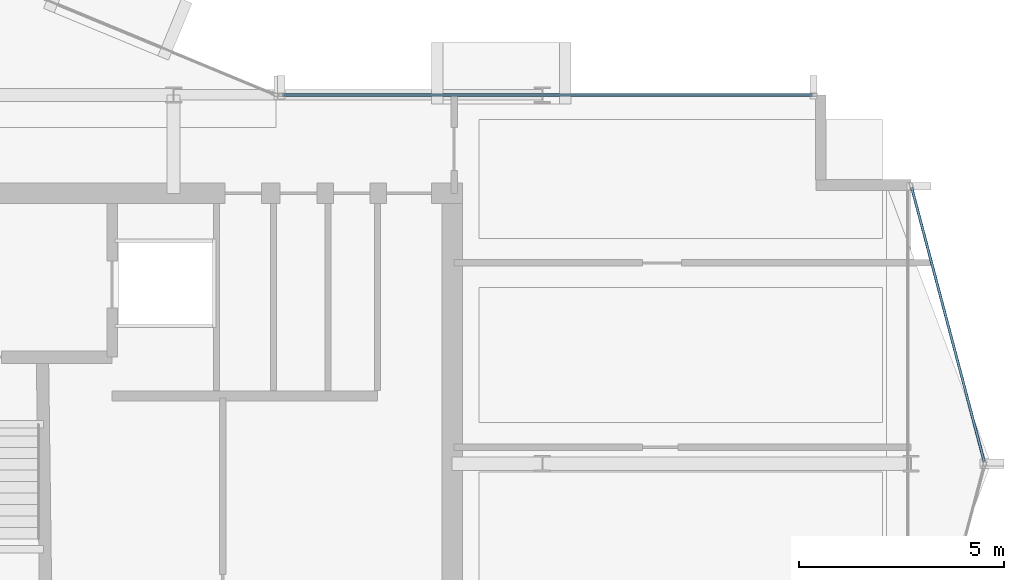
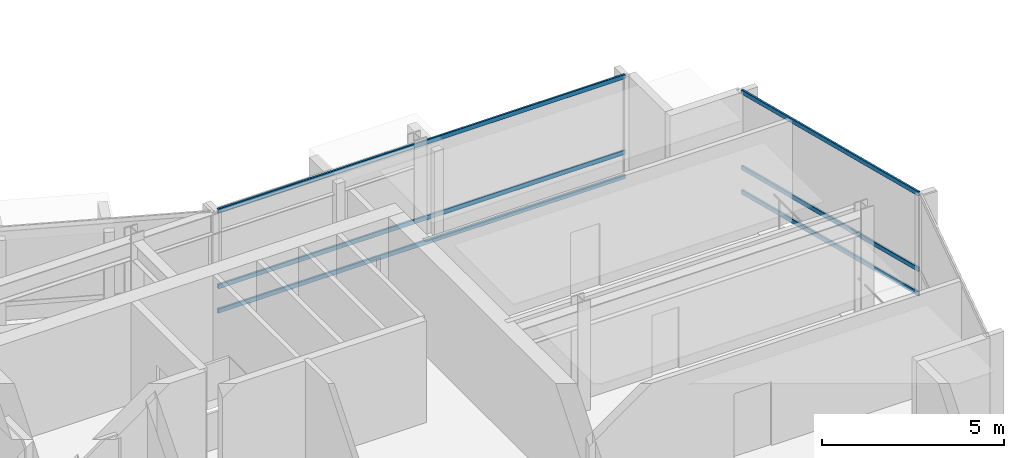
# One storey, part 13 of 28: 6 members, 2 elements without a shape of their own.
"""IFC4 building model written with IfcOpenShell, lengths in metres."""

from ifc_helpers import new_model, si_unit, direction, frame, origin, origin_2d, place, context, subcontext, project, spatial, hollow_rectangle, extrude, material, layer, layer_set, material_profile, profile_set, type_object, element, aggregate, save


model = new_model("IFC4")

# Units and contexts
model_context = context("Model", 3, precision=1e-05, world=origin(), true_north=direction((0.0, 1.0)))
body_context = subcontext(model_context, "Body", "Model", "MODEL_VIEW")
ifc_project = project(units=[si_unit("LENGTHUNIT", "METRE"), si_unit("AREAUNIT", "SQUARE_METRE"), si_unit("VOLUMEUNIT", "CUBIC_METRE"), si_unit("PLANEANGLEUNIT", "RADIAN"), si_unit("MASSUNIT", "GRAM", prefix="KILO")], contexts=[model_context])

# Site, building, storey
site_placement = place(None, origin())
site = spatial("IfcSite", under=ifc_project, at=site_placement, CompositionType="ELEMENT")
building_placement = place(site_placement, origin())
building = spatial("IfcBuilding", under=site, at=building_placement, Name="Solvaryn Broadcast Tower", CompositionType="ELEMENT")
storey_placement = place(building_placement, frame((0.0, 0.0, 209.89990234375)))
storey = spatial("IfcBuildingStorey", under=building, at=storey_placement, Name="L52", CompositionType="ELEMENT", Elevation=209.89990234375)

# Curtain wall, members
ifc_material_1 = material(Name="Aluminium and Terracotta Unitised Curtain Wall", Category="masonry")
ifc_layer = layer(ifc_material_1, 0.199951171875)
ifc_layer_set = layer_set([ifc_layer], Name="CW-SYS2-LOWMID")
curtain_wall_type = type_object("IfcCurtainWallType", Name="CW-SYS2-LOWMID", PredefinedType="NOTDEFINED", material=ifc_layer_set)
curtain_wall_1_placement = place(storey_placement, origin())
curtain_wall_1 = element("IfcCurtainWall", 1, at=curtain_wall_1_placement, inside=storey, type_object=curtain_wall_type, Name="L52 Curtain Wall ET1", PredefinedType="NOTDEFINED")
ifc_material_2 = material(Name="Anodised Aluminium 6063-T6", Category="aluminium")
ifc_material_profile = material_profile(ifc_material_2, hollow_rectangle(XDim=0.06494140625, YDim=0.14990234375, WallThickness=0.00390625, InnerFilletRadius=0.00390625, OuterFilletRadius=0.008056640625, at=origin_2d()))
ifc_profile_set = profile_set([ifc_material_profile], Name="Anodised Aluminium 6063-T6")
member_type = type_object("IfcMemberType", Name="CW-TRN-150", PredefinedType="USERDEFINED", material=ifc_profile_set)
member_1_placement = place(storey_placement, frame((54.015380859375, 24.741943359375, 0.030029296875), z_axis=(0.255897413051, -0.966703943301, 0.0), x_axis=(0.966703943301, 0.255897413051, 0.0)))
member_1 = element("IfcMember", 2, at=member_1_placement, type_object=member_type, Name="CWS2 transom 1.1", ObjectType="TRANSOM", PredefinedType="USERDEFINED", context=body_context, shape_type="SweptSolid", body=[
    extrude(hollow_rectangle(XDim=0.06494140625, YDim=0.14990234375, WallThickness=0.00390625, InnerFilletRadius=0.00390625, OuterFilletRadius=0.008056640625, at=origin_2d()), origin(), (0.0, 0.0, 1.0), 6.9140625),
])
member_2_placement = place(storey_placement, frame((54.015380859375, 24.741943359375, 0.85009765625), z_axis=(0.255897413051, -0.966703943301, 0.0), x_axis=(0.966703943301, 0.255897413051, 0.0)))
member_2 = element("IfcMember", 3, at=member_2_placement, type_object=member_type, Name="CWS2 transom 1.2", ObjectType="TRANSOM", PredefinedType="USERDEFINED", context=body_context, shape_type="SweptSolid", body=[
    extrude(hollow_rectangle(XDim=0.06494140625, YDim=0.14990234375, WallThickness=0.00390625, InnerFilletRadius=0.00390625, OuterFilletRadius=0.008056640625, at=origin_2d()), origin(), (0.0, 0.0, 1.0), 6.9140625),
])
member_3_placement = place(storey_placement, frame((54.015380859375, 24.741943359375, 3.39013671875), z_axis=(0.255897413051, -0.966703943301, 0.0), x_axis=(0.966703943301, 0.255897413051, 0.0)))
member_3 = element("IfcMember", 4, at=member_3_placement, type_object=member_type, Name="CWS2 transom 1.3", ObjectType="TRANSOM", PredefinedType="USERDEFINED", context=body_context, shape_type="SweptSolid", body=[
    extrude(hollow_rectangle(XDim=0.06494140625, YDim=0.14990234375, WallThickness=0.00390625, InnerFilletRadius=0.00390625, OuterFilletRadius=0.008056640625, at=origin_2d()), origin(), (0.0, 0.0, 1.0), 6.9140625),
])
aggregate(curtain_wall_1, [member_1, member_2, member_3])

curtain_wall_2_placement = place(storey_placement, origin())
curtain_wall_2 = element("IfcCurtainWall", 5, at=curtain_wall_2_placement, inside=storey, type_object=curtain_wall_type, Name="L52 Curtain Wall IH", PredefinedType="NOTDEFINED")
member_4_placement = place(storey_placement, frame((38.659912109375, 27.0, 0.030029296875), z_axis=(1.0, 0.0, 0.0), x_axis=(0.0, 1.0, 0.0)))
member_4 = element("IfcMember", 6, at=member_4_placement, type_object=member_type, Name="CWS2 transom 1.1", ObjectType="TRANSOM", PredefinedType="USERDEFINED", context=body_context, shape_type="SweptSolid", body=[
    extrude(hollow_rectangle(XDim=0.06494140625, YDim=0.14990234375, WallThickness=0.00390625, InnerFilletRadius=0.00390625, OuterFilletRadius=0.008056640625, at=origin_2d()), origin(), (0.0, 0.0, 1.0), 12.93017578125),
])
member_5_placement = place(storey_placement, frame((38.659912109375, 27.0, 0.85009765625), z_axis=(1.0, 0.0, 0.0), x_axis=(0.0, 1.0, 0.0)))
member_5 = element("IfcMember", 7, at=member_5_placement, type_object=member_type, Name="CWS2 transom 1.2", ObjectType="TRANSOM", PredefinedType="USERDEFINED", context=body_context, shape_type="SweptSolid", body=[
    extrude(hollow_rectangle(XDim=0.06494140625, YDim=0.14990234375, WallThickness=0.00390625, InnerFilletRadius=0.00390625, OuterFilletRadius=0.008056640625, at=origin_2d()), origin(), (0.0, 0.0, 1.0), 12.93017578125),
])
member_6_placement = place(storey_placement, frame((38.659912109375, 27.0, 3.39013671875), z_axis=(1.0, 0.0, 0.0), x_axis=(0.0, 1.0, 0.0)))
member_6 = element("IfcMember", 8, at=member_6_placement, type_object=member_type, Name="CWS2 transom 1.3", ObjectType="TRANSOM", PredefinedType="USERDEFINED", context=body_context, shape_type="SweptSolid", body=[
    extrude(hollow_rectangle(XDim=0.06494140625, YDim=0.14990234375, WallThickness=0.00390625, InnerFilletRadius=0.00390625, OuterFilletRadius=0.008056640625, at=origin_2d()), origin(), (0.0, 0.0, 1.0), 12.93017578125),
])
aggregate(curtain_wall_2, [member_4, member_5, member_6])

save(model, "model.ifc")
